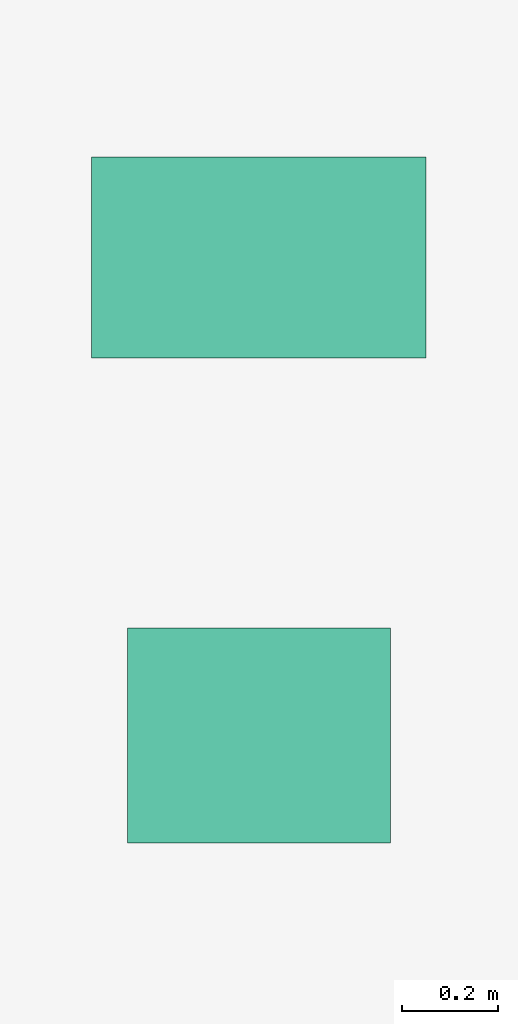
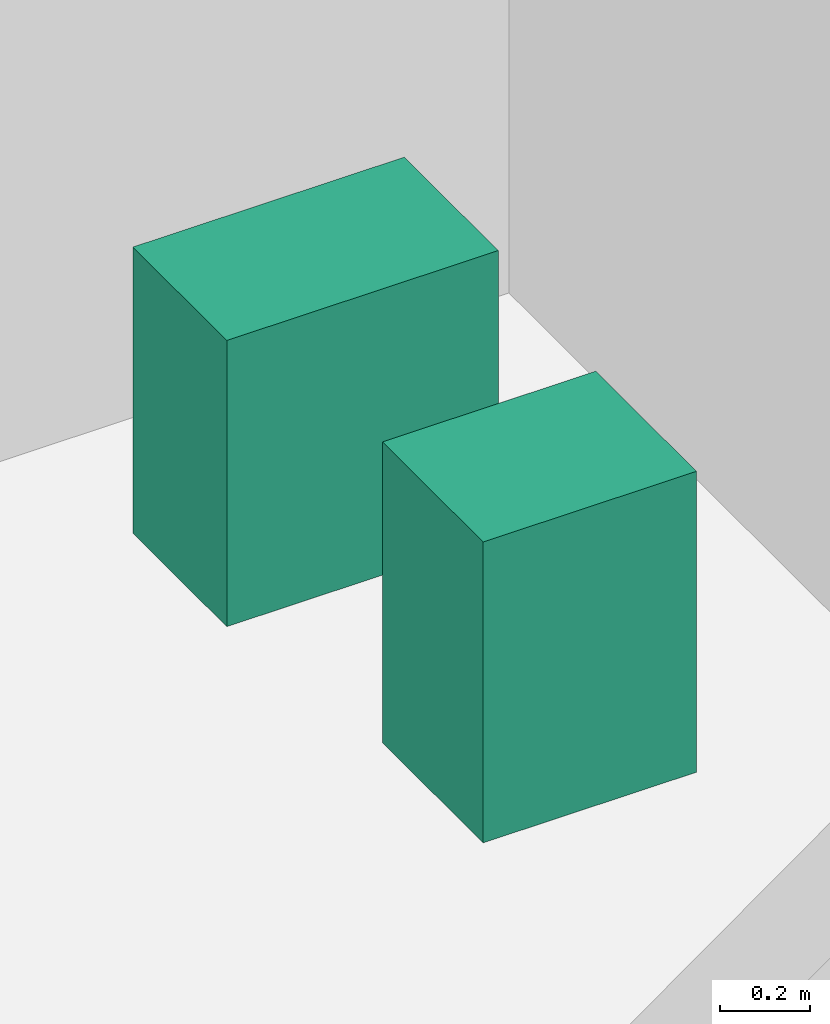
# One storey, part 20 of 20: 2 sanitary terminals.
"""IFC4 building model written with IfcOpenShell, lengths in metres."""

from ifc_helpers import new_model, si_unit, direction, frame, origin, origin_2d, place, context, subcontext, project, spatial, rectangle, extrude, source, transform, mapped, material, type_object, element, save


model = new_model("IFC4")

# Units and contexts
model_context = context("Model", 3, precision=1e-05, world=origin(), true_north=direction((0.0, 1.0)))
body_context = subcontext(model_context, "Body", "Model", "MODEL_VIEW")
ifc_project = project(units=[si_unit("LENGTHUNIT", "METRE"), si_unit("AREAUNIT", "SQUARE_METRE"), si_unit("VOLUMEUNIT", "CUBIC_METRE"), si_unit("PLANEANGLEUNIT", "RADIAN"), si_unit("MASSUNIT", "GRAM", prefix="KILO")], contexts=[model_context])

# Site, building, storey
site_placement = place(None, origin())
site = spatial("IfcSite", under=ifc_project, at=site_placement, CompositionType="ELEMENT")
building_placement = place(site_placement, origin())
building = spatial("IfcBuilding", under=site, at=building_placement, Name="Sumidabori Civic Tower", CompositionType="ELEMENT")
storey_placement = place(building_placement, frame((0.0, 0.0, 282.800048828125)))
storey = spatial("IfcBuildingStorey", under=building, at=storey_placement, Name="L74", CompositionType="ELEMENT", Elevation=282.800048828125)

# Sanitary terminals
ifc_material = material(Name="Vitreous Sanitary Porcelain")
sanitary_terminal_type_1 = type_object("IfcSanitaryTerminalType", Name="SN-WC-1", PredefinedType="TOILETPAN", material=ifc_material)
shared_shape_1 = source(origin(), body_context, "Body", "SweptSolid", [
    extrude(rectangle(XDim=0.699951171875, YDim=0.419921875, at=origin_2d()), origin(), (0.0, 0.0, 1.0), 0.780029296875),
])
sanitary_terminal_1_placement = place(storey_placement, frame((10.800048828125, 21.85009765625, 0.0), z_axis=(0.0, 0.0, 1.0), x_axis=(1.0, 0.0, 0.0)))
element("IfcSanitaryTerminal", 1, at=sanitary_terminal_1_placement, inside=storey, type_object=sanitary_terminal_type_1, Name="Accessible WC Pan L74", PredefinedType="TOILETPAN", context=body_context, shape_type="MappedRepresentation", body=[
    mapped(shared_shape_1, transform((0.0, 0.0, 0.0), x_axis=(1.0, 0.0, 0.0), y_axis=(0.0, 1.0, 0.0), z_axis=(0.0, 0.0, 1.0), scale=1.0)),
])
sanitary_terminal_type_2 = type_object("IfcSanitaryTerminalType", Name="SN-BAS-1", PredefinedType="WASHHANDBASIN", material=ifc_material)
shared_shape_2 = source(origin(), body_context, "Body", "SweptSolid", [
    extrude(rectangle(XDim=0.550048828125, YDim=0.449951171875, at=origin_2d()), origin(), (0.0, 0.0, 1.0), 0.820068359375),
])
sanitary_terminal_2_placement = place(storey_placement, frame((10.800048828125, 20.85009765625, 0.0), z_axis=(0.0, 0.0, 1.0), x_axis=(1.0, 0.0, 0.0)))
element("IfcSanitaryTerminal", 2, at=sanitary_terminal_2_placement, inside=storey, type_object=sanitary_terminal_type_2, Name="Accessible Basin L74", PredefinedType="WASHHANDBASIN", context=body_context, shape_type="MappedRepresentation", body=[
    mapped(shared_shape_2, transform((0.0, 0.0, 0.0), x_axis=(1.0, 0.0, 0.0), y_axis=(0.0, 1.0, 0.0), z_axis=(0.0, 0.0, 1.0), scale=1.0)),
])

save(model, "model.ifc")
